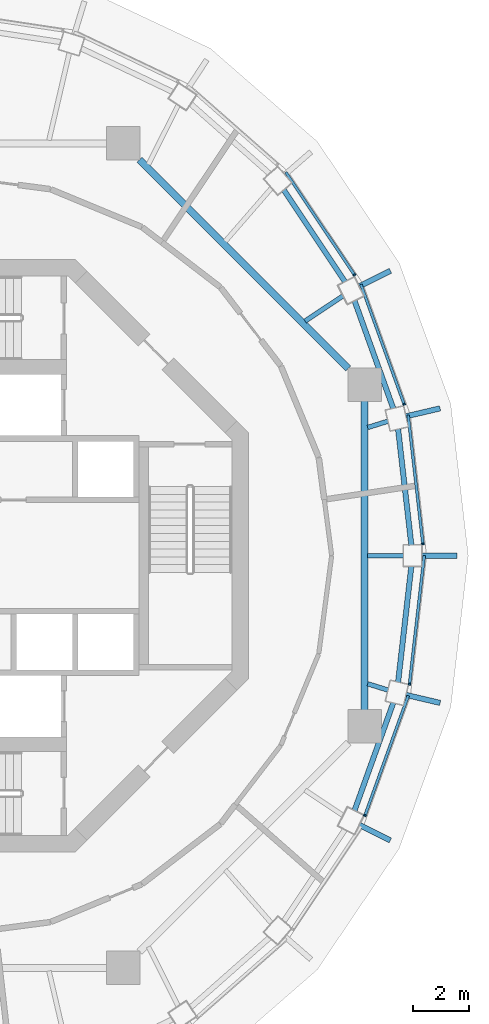
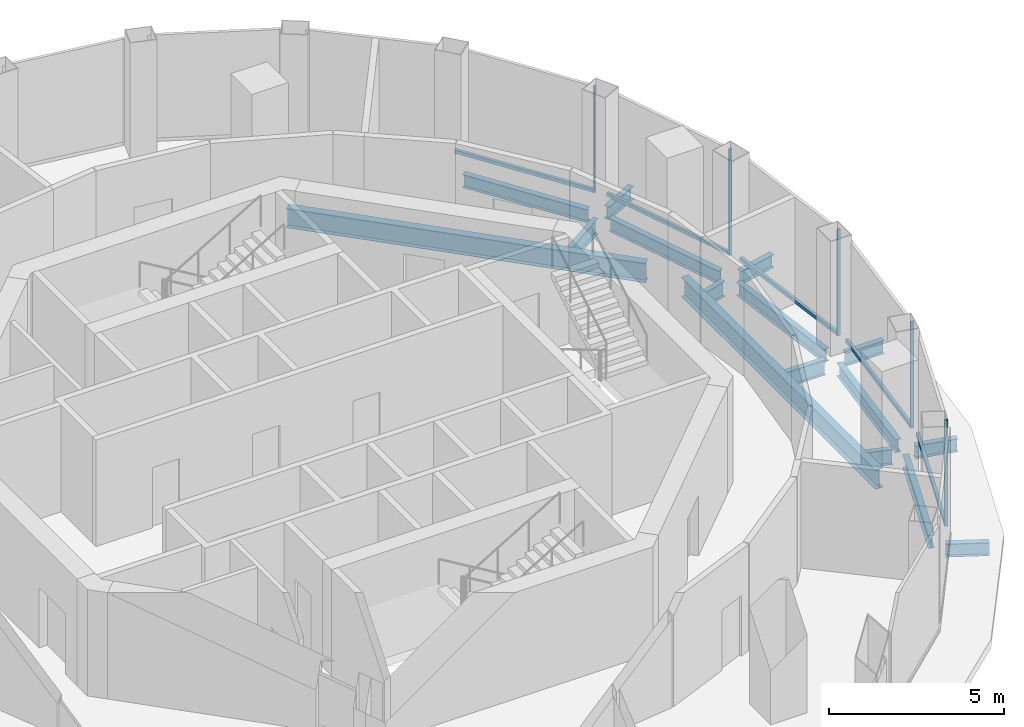
# One storey, part 5 of 11: 16 beams, 10 members, 5 elements without a shape of their own.
"""IFC4 building model written with IfcOpenShell, lengths in metres."""

from ifc_helpers import new_model, si_unit, direction, frame, origin, origin_2d, place, context, subcontext, project, spatial, rectangle, i_section, extrude, material, layer, layer_set, material_profile, profile_set, type_object, element, aggregate, save


model = new_model("IFC4")

# Units and contexts
model_context = context("Model", 3, precision=1e-05, world=origin(), true_north=direction((0.0, 1.0)))
body_context = subcontext(model_context, "Body", "Model", "MODEL_VIEW")
ifc_project = project(units=[si_unit("LENGTHUNIT", "METRE"), si_unit("AREAUNIT", "SQUARE_METRE"), si_unit("VOLUMEUNIT", "CUBIC_METRE"), si_unit("PLANEANGLEUNIT", "RADIAN"), si_unit("MASSUNIT", "GRAM", prefix="KILO")], contexts=[model_context])

# Site, building, storey
site_placement = place(None, origin())
site = spatial("IfcSite", under=ifc_project, at=site_placement, CompositionType="ELEMENT")
building_placement = place(site_placement, origin())
building = spatial("IfcBuilding", under=site, at=building_placement, Name="Nagisa Residences", CompositionType="ELEMENT")
storey_placement = place(building_placement, frame((0.0, 0.0, 324.89990234375)))
storey = spatial("IfcBuildingStorey", under=building, at=storey_placement, Name="L80", CompositionType="ELEMENT", Elevation=324.89990234375)

# Curtain wall, member
ifc_material_1 = material(Name="Aluminium curtain wall system", Category="aluminium")
ifc_layer = layer(ifc_material_1, 0.159912109375)
ifc_layer_set = layer_set([ifc_layer], Name="CW5 CURTAIN WALL")
curtain_wall_type = type_object("IfcCurtainWallType", Name="CW5 CURTAIN WALL", PredefinedType="NOTDEFINED", material=ifc_layer_set)
curtain_wall_1_placement = place(storey_placement, origin())
curtain_wall_1 = element("IfcCurtainWall", 1, at=curtain_wall_1_placement, inside=storey, type_object=curtain_wall_type, Name="cw:CW5:L80:00", PredefinedType="NOTDEFINED")
ifc_material_2 = material(Name="Aluminium", Category="aluminium")
ifc_material_profile_1 = material_profile(ifc_material_2, rectangle(XDim=0.10009765625, YDim=0.06005859375, at=origin_2d()), Name="CW5 MULLION 100x60")
ifc_profile_set_1 = profile_set([ifc_material_profile_1], Name="Aluminium")
member_type_1 = type_object("IfcMemberType", Name="CW5 MULLION 100x60", PredefinedType="MULLION", material=ifc_profile_set_1)
member_1_placement = place(storey_placement, frame((16.87158203125, 0.41796875, 0.0), z_axis=(0.0, 0.0, 1.0), x_axis=(-0.993477835048, -0.114025397474, 0.0)))
member_1 = element("IfcMember", 2, at=member_1_placement, type_object=member_type_1, Name="CW5 mullion", PredefinedType="MULLION", context=body_context, shape_type="SweptSolid", body=[
    extrude(rectangle(XDim=0.10009765625, YDim=0.06005859375, at=origin_2d()), origin(), (0.0, 0.0, 1.0), 3.7001953125),
])

curtain_wall_2_placement = place(storey_placement, origin())
curtain_wall_2 = element("IfcCurtainWall", 3, at=curtain_wall_2_placement, inside=storey, type_object=curtain_wall_type, Name="cw:CW5:L80:01", PredefinedType="NOTDEFINED")
member_2_placement = place(storey_placement, frame((16.199462890625, 5.42431640625, 0.0), z_axis=(0.0, 0.0, 1.0), x_axis=(-0.940554456033, -0.339642923136, 0.0)))
member_2 = element("IfcMember", 4, at=member_2_placement, type_object=member_type_1, Name="CW5 mullion", PredefinedType="MULLION", context=body_context, shape_type="SweptSolid", body=[
    extrude(rectangle(XDim=0.10009765625, YDim=0.06005859375, at=origin_2d()), origin(), (0.0, 0.0, 1.0), 3.7001953125),
])

curtain_wall_3_placement = place(storey_placement, origin())
curtain_wall_3 = element("IfcCurtainWall", 5, at=curtain_wall_3_placement, inside=storey, type_object=curtain_wall_type, Name="cw:CW5:L80:02", PredefinedType="NOTDEFINED")
member_3_placement = place(storey_placement, frame((14.416748046875, 10.06298828125, 0.0), z_axis=(0.0, 0.0, 1.0), x_axis=(-0.831172662415, -0.556014393027, 0.0)))
member_3 = element("IfcMember", 6, at=member_3_placement, type_object=member_type_1, Name="CW5 mullion", PredefinedType="MULLION", context=body_context, shape_type="SweptSolid", body=[
    extrude(rectangle(XDim=0.10009765625, YDim=0.06005859375, at=origin_2d()), origin(), (0.0, 0.0, 1.0), 3.7001953125),
])

curtain_wall_4_placement = place(storey_placement, origin())
curtain_wall_4 = element("IfcCurtainWall", 7, at=curtain_wall_4_placement, inside=storey, type_object=curtain_wall_type, Name="cw:CW5:L80:22", PredefinedType="NOTDEFINED")
member_4_placement = place(storey_placement, frame((14.793212890625, -9.318359375, 0.0), z_axis=(0.0, 0.0, 1.0), x_axis=(-0.940554456033, 0.339642923136, 0.0)))
member_4 = element("IfcMember", 8, at=member_4_placement, type_object=member_type_1, Name="CW5 mullion", PredefinedType="MULLION", context=body_context, shape_type="SweptSolid", body=[
    extrude(rectangle(XDim=0.10009765625, YDim=0.06005859375, at=origin_2d()), origin(), (0.0, 0.0, 1.0), 3.7001953125),
])

curtain_wall_5_placement = place(storey_placement, origin())
curtain_wall_5 = element("IfcCurtainWall", 9, at=curtain_wall_5_placement, inside=storey, type_object=curtain_wall_type, Name="cw:CW5:L80:23", PredefinedType="NOTDEFINED")
member_5_placement = place(storey_placement, frame((16.390380859375, -4.610595703125, 0.0), z_axis=(0.0, 0.0, 1.0), x_axis=(-0.993477835048, 0.114025397474, 0.0)))
member_5 = element("IfcMember", 10, at=member_5_placement, type_object=member_type_1, Name="CW5 mullion", PredefinedType="MULLION", context=body_context, shape_type="SweptSolid", body=[
    extrude(rectangle(XDim=0.10009765625, YDim=0.06005859375, at=origin_2d()), origin(), (0.0, 0.0, 1.0), 3.7001953125),
])

# Member
ifc_material_3 = material(Name="Aluminium", Category="aluminium")
ifc_material_profile_2 = material_profile(ifc_material_3, rectangle(XDim=0.10009765625, YDim=0.1201171875, at=origin_2d()), Name="CW5 TRANSOM 100x120")
ifc_profile_set_2 = profile_set([ifc_material_profile_2], Name="Aluminium")
member_type_2 = type_object("IfcMemberType", Name="CW5 TRANSOM 100x120", PredefinedType="USERDEFINED", material=ifc_profile_set_2)
member_6_placement = place(storey_placement, frame((16.875, 0.38818359375, 0.06005859375), z_axis=(-0.114032075188, 0.993477068597, 0.0), x_axis=(-0.993477068597, -0.114032075188, 0.0)))
member_6 = element("IfcMember", 11, at=member_6_placement, type_object=member_type_2, Name="CW5 transom", ObjectType="TRANSOM", PredefinedType="USERDEFINED", context=body_context, shape_type="SweptSolid", body=[
    extrude(rectangle(XDim=0.10009765625, YDim=0.1201171875, at=origin_2d()), origin(), (0.0, 0.0, 1.0), 4.68017578125),
])

aggregate(curtain_wall_1, [member_1, member_6])

member_7_placement = place(storey_placement, frame((16.209716796875, 5.39599609375, 0.06005859375), z_axis=(-0.339645767878, 0.940553428766, 0.0), x_axis=(-0.940553428766, -0.339645767878, 0.0)))
member_7 = element("IfcMember", 12, at=member_7_placement, type_object=member_type_2, Name="CW5 transom", ObjectType="TRANSOM", PredefinedType="USERDEFINED", context=body_context, shape_type="SweptSolid", body=[
    extrude(rectangle(XDim=0.10009765625, YDim=0.1201171875, at=origin_2d()), origin(), (0.0, 0.0, 1.0), 4.600341796875),
])

aggregate(curtain_wall_2, [member_2, member_7])

member_8_placement = place(storey_placement, frame((14.43359375, 10.0380859375, 0.06005859375), z_axis=(-0.556026221044, 0.831164749921, 0.0), x_axis=(-0.831164749921, -0.556026221044, 0.0)))
member_8 = element("IfcMember", 13, at=member_8_placement, type_object=member_type_2, Name="CW5 transom", ObjectType="TRANSOM", PredefinedType="USERDEFINED", context=body_context, shape_type="SweptSolid", body=[
    extrude(rectangle(XDim=0.10009765625, YDim=0.1201171875, at=origin_2d()), origin(), (0.0, 0.0, 1.0), 4.458984375),
])

aggregate(curtain_wall_3, [member_3, member_8])

member_9_placement = place(storey_placement, frame((14.782958984375, -9.3466796875, 0.06005859375), z_axis=(0.339645767878, 0.940553428766, 0.0), x_axis=(-0.940553428766, 0.339645767878, 0.0)))
member_9 = element("IfcMember", 14, at=member_9_placement, type_object=member_type_2, Name="CW5 transom", ObjectType="TRANSOM", PredefinedType="USERDEFINED", context=body_context, shape_type="SweptSolid", body=[
    extrude(rectangle(XDim=0.10009765625, YDim=0.1201171875, at=origin_2d()), origin(), (0.0, 0.0, 1.0), 4.600341796875),
])

aggregate(curtain_wall_4, [member_4, member_9])

member_10_placement = place(storey_placement, frame((16.386962890625, -4.640380859375, 0.06005859375), z_axis=(0.11398649568, 0.993482299189, 0.0), x_axis=(-0.993482299189, 0.11398649568, 0.0)))
member_10 = element("IfcMember", 15, at=member_10_placement, type_object=member_type_2, Name="CW5 transom", ObjectType="TRANSOM", PredefinedType="USERDEFINED", context=body_context, shape_type="SweptSolid", body=[
    extrude(rectangle(XDim=0.10009765625, YDim=0.1201171875, at=origin_2d()), origin(), (0.0, 0.0, 1.0), 4.679931640625),
])

aggregate(curtain_wall_5, [member_5, member_10])

# Beams
ifc_material_4 = material(Name="Steel ASTM A572 Gr 50", Category="steel")
ifc_material_profile_3 = material_profile(ifc_material_4, i_section(OverallWidth=0.2529296875, OverallDepth=0.677978515625, WebThickness=0.01171875, FlangeThickness=0.016357421875, at=origin_2d()), Name="W690x125")
ifc_profile_set_3 = profile_set([ifc_material_profile_3], Name="Steel ASTM A572 Gr 50")
beam_type_1 = type_object("IfcBeamType", Name="Inner ring beam W690x125", PredefinedType="BEAM", material=ifc_profile_set_3)
beam_1_placement = place(storey_placement, frame((14.1962890625, 6.708740234375, -0.638916015625), z_axis=(-0.707106781187, 0.707106781187, 0.0), x_axis=(-0.707106781187, -0.707106781187, 0.0)))
element("IfcBeam", 16, at=beam_1_placement, inside=storey, type_object=beam_type_1, Name="beam:L80:ib1", PredefinedType="BEAM", context=body_context, shape_type="SweptSolid", body=[
    extrude(i_section(OverallWidth=0.2529296875, OverallDepth=0.677978515625, WebThickness=0.01171875, FlangeThickness=0.016357421875, at=origin_2d()), origin(), (0.0, 0.0, 1.0), 10.589111328125),
])
beam_2_placement = place(storey_placement, frame((14.781982421875, -5.54296875, -0.638916015625), z_axis=(0.0, 1.0, 0.0), x_axis=(-1.0, 0.0, 0.0)))
element("IfcBeam", 17, at=beam_2_placement, inside=storey, type_object=beam_type_1, Name="beam:L80:ib8", PredefinedType="BEAM", context=body_context, shape_type="SweptSolid", body=[
    extrude(i_section(OverallWidth=0.2529296875, OverallDepth=0.677978515625, WebThickness=0.01171875, FlangeThickness=0.016357421875, at=origin_2d()), origin(), (0.0, 0.0, 1.0), 11.0859375),
])
ifc_material_5 = material(Name="Steel ASTM A572 Gr 50", Category="steel")
ifc_material_profile_4 = material_profile(ifc_material_5, i_section(OverallWidth=0.18994140625, OverallDepth=0.45703125, WebThickness=0.009033203125, FlangeThickness=0.014404296875, at=origin_2d()), Name="W460x74")
ifc_profile_set_4 = profile_set([ifc_material_profile_4], Name="Steel ASTM A572 Gr 50")
beam_type_2 = type_object("IfcBeamType", Name="Lantern ring bracket W460x74", PredefinedType="BEAM", material=ifc_profile_set_4)
beam_3_placement = place(storey_placement, frame((16.830078125, 0.0, -0.5283203125), z_axis=(1.0, 0.0, 0.0), x_axis=(0.0, 1.0, 0.0)))
element("IfcBeam", 18, at=beam_3_placement, inside=storey, type_object=beam_type_2, Name="beam:L80:cb01", PredefinedType="BEAM", context=body_context, shape_type="SweptSolid", body=[
    extrude(i_section(OverallWidth=0.18994140625, OverallDepth=0.45703125, WebThickness=0.009033203125, FlangeThickness=0.014404296875, at=origin_2d()), origin(), (0.0, 0.0, 1.0), 1.27001953125),
])
beam_4_placement = place(storey_placement, frame((16.259033203125, 4.99267578125, -0.5283203125), z_axis=(0.973804082891, 0.227388671979, 0.0), x_axis=(-0.227388671979, 0.973804082891, 0.0)))
element("IfcBeam", 19, at=beam_4_placement, inside=storey, type_object=beam_type_2, Name="beam:L80:cb02", PredefinedType="BEAM", context=body_context, shape_type="SweptSolid", body=[
    extrude(i_section(OverallWidth=0.18994140625, OverallDepth=0.45703125, WebThickness=0.009033203125, FlangeThickness=0.014404296875, at=origin_2d()), origin(), (0.0, 0.0, 1.0), 1.261474609375),
])
for number, where, z_axis, x_axis, name in (
    (20, (14.584228515625, 9.6484375, -0.5283203125), (0.893216090301, 0.44962764153, 0.0), (-0.44962764153, 0.893216090301, 0.0), "beam:L80:cb03"),
    (21, (14.584228515625, -9.6484375, -0.5283203125), (0.893216090301, -0.44962764153, 0.0), (0.44962764153, 0.893216090301, 0.0), "beam:L80:cb23"),
):
    element("IfcBeam", number, at=place(storey_placement, frame(where, z_axis=z_axis, x_axis=x_axis)), inside=storey, type_object=beam_type_2, Name=name, PredefinedType="BEAM", context=body_context, shape_type="SweptSolid", body=[
        extrude(i_section(OverallWidth=0.18994140625, OverallDepth=0.45703125, WebThickness=0.009033203125, FlangeThickness=0.014404296875, at=origin_2d()), origin(), (0.0, 0.0, 1.0), 1.253173828125),
    ])
beam_5_placement = place(storey_placement, frame((16.259033203125, -4.99267578125, -0.5283203125), z_axis=(0.973804082891, -0.227388671979, 0.0), x_axis=(0.227388671979, 0.973804082891, 0.0)))
element("IfcBeam", 22, at=beam_5_placement, inside=storey, type_object=beam_type_2, Name="beam:L80:cb24", PredefinedType="BEAM", context=body_context, shape_type="SweptSolid", body=[
    extrude(i_section(OverallWidth=0.18994140625, OverallDepth=0.45703125, WebThickness=0.009033203125, FlangeThickness=0.014404296875, at=origin_2d()), origin(), (0.0, 0.0, 1.0), 1.261474609375),
])
ifc_material_6 = material(Name="Steel ASTM A572 Gr 50", Category="steel")
ifc_material_profile_5 = material_profile(ifc_material_6, i_section(OverallWidth=0.18994140625, OverallDepth=0.45703125, WebThickness=0.009033203125, FlangeThickness=0.014404296875, at=origin_2d()), Name="W460x74")
ifc_profile_set_5 = profile_set([ifc_material_profile_5], Name="Steel ASTM A572 Gr 50")
beam_type_3 = type_object("IfcBeamType", Name="Perimeter ring beam W460x74", PredefinedType="BEAM", material=ifc_profile_set_5)
beam_6_placement = place(storey_placement, frame((16.45654296875, 0.380126953125, -0.5283203125), z_axis=(-0.113600894263, 0.993526465084, 0.0), x_axis=(-0.993526465084, -0.113600894263, 0.0)))
element("IfcBeam", 23, at=beam_6_placement, inside=storey, type_object=beam_type_3, Name="beam:L80:pb01", PredefinedType="BEAM", context=body_context, shape_type="SweptSolid", body=[
    extrude(i_section(OverallWidth=0.18994140625, OverallDepth=0.45703125, WebThickness=0.009033203125, FlangeThickness=0.014404296875, at=origin_2d()), origin(), (0.0, 0.0, 1.0), 4.184326171875),
])
beam_7_placement = place(storey_placement, frame((15.808349609375, 5.277587890625, -0.5283203125), z_axis=(-0.338517252251, 0.940960185092, 0.0), x_axis=(-0.940960185092, -0.338517252251, 0.0)))
element("IfcBeam", 24, at=beam_7_placement, inside=storey, type_object=beam_type_3, Name="beam:L80:pb02", PredefinedType="BEAM", context=body_context, shape_type="SweptSolid", body=[
    extrude(i_section(OverallWidth=0.18994140625, OverallDepth=0.45703125, WebThickness=0.009033203125, FlangeThickness=0.014404296875, at=origin_2d()), origin(), (0.0, 0.0, 1.0), 4.1044921875),
])
beam_8_placement = place(storey_placement, frame((14.0771484375, 9.818603515625, -0.5283203125), z_axis=(-0.554529560082, 0.832164026497, 0.0), x_axis=(-0.832164026497, -0.554529560082, 0.0)))
element("IfcBeam", 25, at=beam_8_placement, inside=storey, type_object=beam_type_3, Name="beam:L80:pb03", PredefinedType="BEAM", context=body_context, shape_type="SweptSolid", body=[
    extrude(i_section(OverallWidth=0.18994140625, OverallDepth=0.45703125, WebThickness=0.009033203125, FlangeThickness=0.014404296875, at=origin_2d()), origin(), (0.0, 0.0, 1.0), 3.96240234375),
])
beam_9_placement = place(storey_placement, frame((14.4189453125, -9.1396484375, -0.5283203125), z_axis=(0.338517252251, 0.940960185092, 0.0), x_axis=(-0.940960185092, 0.338517252251, 0.0)))
element("IfcBeam", 26, at=beam_9_placement, inside=storey, type_object=beam_type_3, Name="beam:L80:pb23", PredefinedType="BEAM", context=body_context, shape_type="SweptSolid", body=[
    extrude(i_section(OverallWidth=0.18994140625, OverallDepth=0.45703125, WebThickness=0.009033203125, FlangeThickness=0.014404296875, at=origin_2d()), origin(), (0.0, 0.0, 1.0), 4.1044921875),
])
beam_10_placement = place(storey_placement, frame((15.981201171875, -4.537353515625, -0.5283203125), z_axis=(0.113600894263, 0.993526465084, 0.0), x_axis=(-0.993526465084, 0.113600894263, 0.0)))
element("IfcBeam", 27, at=beam_10_placement, inside=storey, type_object=beam_type_3, Name="beam:L80:pb24", PredefinedType="BEAM", context=body_context, shape_type="SweptSolid", body=[
    extrude(i_section(OverallWidth=0.18994140625, OverallDepth=0.45703125, WebThickness=0.009033203125, FlangeThickness=0.014404296875, at=origin_2d()), origin(), (0.0, 0.0, 1.0), 4.184326171875),
])
ifc_material_7 = material(Name="Steel ASTM A572 Gr 50", Category="steel")
ifc_material_profile_6 = material_profile(ifc_material_7, i_section(OverallWidth=0.166015625, OverallDepth=0.534912109375, WebThickness=0.01025390625, FlangeThickness=0.0166015625, at=origin_2d()), Name="W530x85")
ifc_profile_set_6 = profile_set([ifc_material_profile_6], Name="Steel ASTM A572 Gr 50")
beam_type_4 = type_object("IfcBeamType", Name="Radial beam W530x85", PredefinedType="BEAM", material=ifc_profile_set_6)
beam_11_placement = place(storey_placement, frame((16.169921875, 0.0, -0.5673828125), z_axis=(-1.0, 0.0, 0.0), x_axis=(0.0, -1.0, 0.0)))
element("IfcBeam", 28, at=beam_11_placement, inside=storey, type_object=beam_type_4, Name="beam:L80:rb01", PredefinedType="BEAM", context=body_context, shape_type="SweptSolid", body=[
    extrude(i_section(OverallWidth=0.166015625, OverallDepth=0.534912109375, WebThickness=0.01025390625, FlangeThickness=0.0166015625, at=origin_2d()), origin(), (0.0, 0.0, 1.0), 1.28125),
])
beam_12_placement = place(storey_placement, frame((15.62158203125, 4.820068359375, -0.5673828125), z_axis=(-0.955489220567, -0.295026014753, 0.0), x_axis=(0.295026014753, -0.955489220567, 0.0)))
element("IfcBeam", 29, at=beam_12_placement, inside=storey, type_object=beam_type_4, Name="beam:L80:rb02", PredefinedType="BEAM", context=body_context, shape_type="SweptSolid", body=[
    extrude(i_section(OverallWidth=0.166015625, OverallDepth=0.534912109375, WebThickness=0.01025390625, FlangeThickness=0.0166015625, at=origin_2d()), origin(), (0.0, 0.0, 1.0), 0.766357421875),
])
beam_13_placement = place(storey_placement, frame((14.012451171875, 9.31591796875, -0.5673828125), z_axis=(-0.832714310154, -0.553702878505, 0.0), x_axis=(0.553702878505, -0.832714310154, 0.0)))
element("IfcBeam", 30, at=beam_13_placement, inside=storey, type_object=beam_type_4, Name="beam:L80:rb03", PredefinedType="BEAM", context=body_context, shape_type="SweptSolid", body=[
    extrude(i_section(OverallWidth=0.166015625, OverallDepth=0.534912109375, WebThickness=0.01025390625, FlangeThickness=0.0166015625, at=origin_2d()), origin(), (0.0, 0.0, 1.0), 1.638916015625),
])
beam_14_placement = place(storey_placement, frame((15.62158203125, -4.820068359375, -0.5673828125), z_axis=(-0.955489220567, 0.295026014753, 0.0), x_axis=(-0.295026014753, -0.955489220567, 0.0)))
element("IfcBeam", 31, at=beam_14_placement, inside=storey, type_object=beam_type_4, Name="beam:L80:rb24", PredefinedType="BEAM", context=body_context, shape_type="SweptSolid", body=[
    extrude(i_section(OverallWidth=0.166015625, OverallDepth=0.534912109375, WebThickness=0.01025390625, FlangeThickness=0.0166015625, at=origin_2d()), origin(), (0.0, 0.0, 1.0), 0.766357421875),
])

save(model, "model.ifc")
